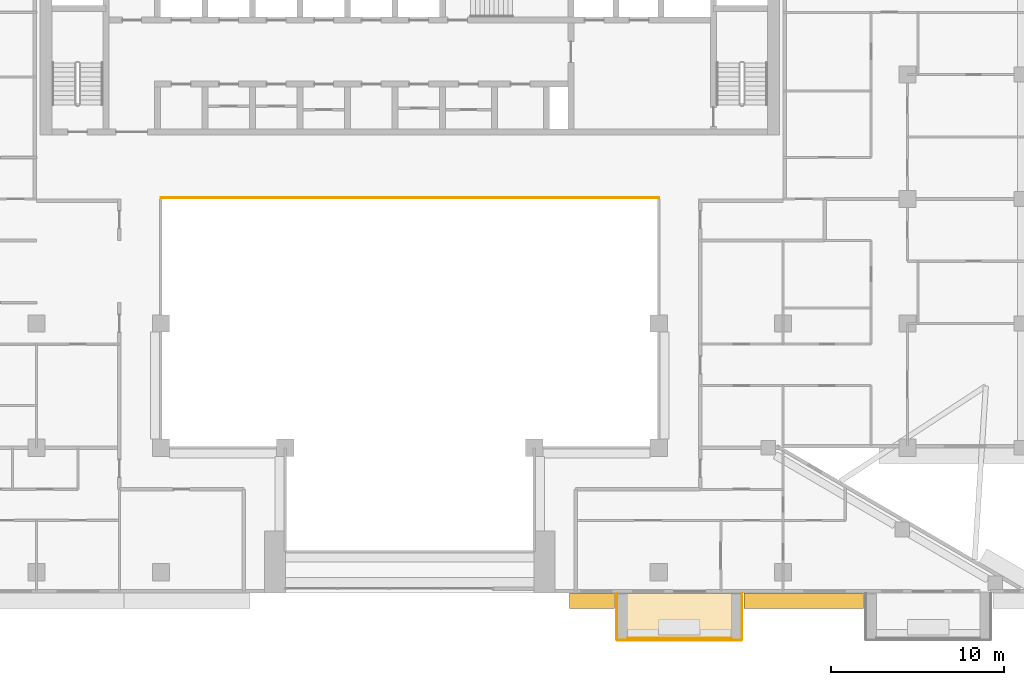
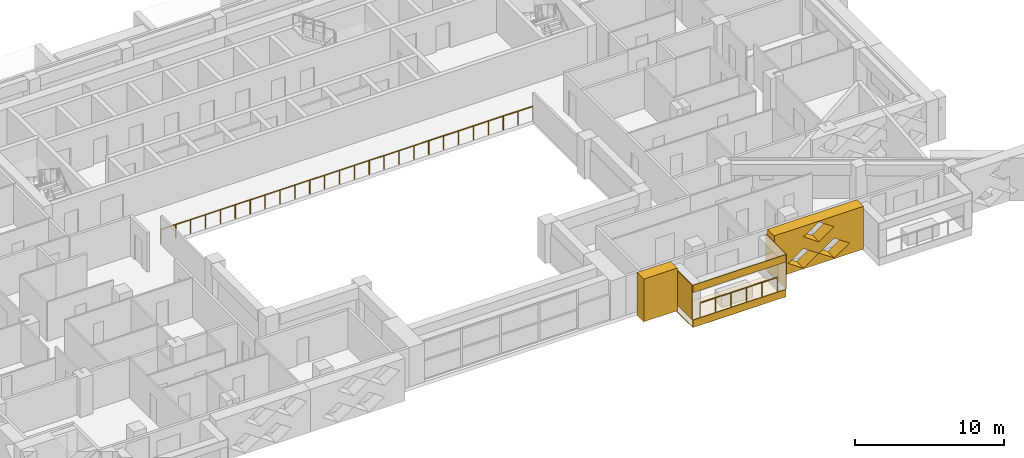
# One storey, part 16 of 20: 7 coverings, 2 railings.
"""IFC4 building model written with IfcOpenShell, lengths in metres."""

from ifc_helpers import new_model, si_unit, direction, frame, origin, origin_2d, place, context, subcontext, project, spatial, polyline, circle, outline, extrude, material, layer, layer_set, type_object, element, save


model = new_model("IFC4")

# Units and contexts
model_context = context("Model", 3, precision=1e-05, world=origin(), true_north=direction((0.0, 1.0)))
body_context = subcontext(model_context, "Body", "Model", "MODEL_VIEW")
ifc_project = project(units=[si_unit("LENGTHUNIT", "METRE"), si_unit("AREAUNIT", "SQUARE_METRE"), si_unit("VOLUMEUNIT", "CUBIC_METRE"), si_unit("PLANEANGLEUNIT", "RADIAN"), si_unit("MASSUNIT", "GRAM", prefix="KILO")], contexts=[model_context])

# Site, building, storey
site_placement = place(None, origin())
site = spatial("IfcSite", under=ifc_project, at=site_placement, CompositionType="ELEMENT")
building_placement = place(site_placement, origin())
building = spatial("IfcBuilding", under=site, at=building_placement, Name="Saffron Iwan Residences", CompositionType="ELEMENT")
storey_placement = place(building_placement, frame((0.0, 0.0, 171.0)))
storey = spatial("IfcBuildingStorey", under=building, at=storey_placement, Name="L45", CompositionType="ELEMENT", Elevation=171.0)

# Railings
ifc_material_1 = material(Name="Stainless steel 316", Category="steel")
railing_type_1 = type_object("IfcRailingType", Name="Atrium guard 1150", PredefinedType="GUARDRAIL", material=ifc_material_1)
railing_1_placement = place(storey_placement, frame((36.0, 62.47509765625, 0.0)))
element("IfcRailing", 1, at=railing_1_placement, inside=storey, type_object=railing_type_1, Name="Atrium guard L45", PredefinedType="GUARDRAIL", context=body_context, shape_type="SweptSolid", body=[
    extrude(circle(Radius=0.02392578125, at=origin_2d()), frame((0.0, 0.0, 1.1259765625), z_axis=(1.0, 0.0, 0.0), x_axis=(0.0, 1.0, 0.0)), (0.0, 0.0, 1.0), 28.800048828125),
    extrude(circle(Radius=0.02099609375, at=origin_2d()), origin(), (0.0, 0.0, 1.0), 1.101806640625),
    extrude(circle(Radius=0.02099609375, at=origin_2d()), frame((1.152099609375, 0.0, 0.0)), (0.0, 0.0, 1.0), 1.101806640625),
    extrude(circle(Radius=0.02099609375, at=origin_2d()), frame((2.303955078125, 0.0, 0.0)), (0.0, 0.0, 1.0), 1.101806640625),
    extrude(circle(Radius=0.02099609375, at=origin_2d()), frame((3.4560546875, 0.0, 0.0)), (0.0, 0.0, 1.0), 1.101806640625),
    extrude(circle(Radius=0.02099609375, at=origin_2d()), frame((4.60791015625, 0.0, 0.0)), (0.0, 0.0, 1.0), 1.101806640625),
    extrude(circle(Radius=0.02099609375, at=origin_2d()), frame((5.760009765625, 0.0, 0.0)), (0.0, 0.0, 1.0), 1.101806640625),
    extrude(circle(Radius=0.02099609375, at=origin_2d()), frame((6.912109375, 0.0, 0.0)), (0.0, 0.0, 1.0), 1.101806640625),
    extrude(circle(Radius=0.02099609375, at=origin_2d()), frame((8.06396484375, 0.0, 0.0)), (0.0, 0.0, 1.0), 1.101806640625),
    extrude(circle(Radius=0.02099609375, at=origin_2d()), frame((9.216064453125, 0.0, 0.0)), (0.0, 0.0, 1.0), 1.101806640625),
    extrude(circle(Radius=0.02099609375, at=origin_2d()), frame((10.367919921875, 0.0, 0.0)), (0.0, 0.0, 1.0), 1.101806640625),
    extrude(circle(Radius=0.02099609375, at=origin_2d()), frame((11.52001953125, 0.0, 0.0)), (0.0, 0.0, 1.0), 1.101806640625),
    extrude(circle(Radius=0.02099609375, at=origin_2d()), frame((12.672119140625, 0.0, 0.0)), (0.0, 0.0, 1.0), 1.101806640625),
    extrude(circle(Radius=0.02099609375, at=origin_2d()), frame((13.823974609375, 0.0, 0.0)), (0.0, 0.0, 1.0), 1.101806640625),
    extrude(circle(Radius=0.02099609375, at=origin_2d()), frame((14.97607421875, 0.0, 0.0)), (0.0, 0.0, 1.0), 1.101806640625),
    extrude(circle(Radius=0.02099609375, at=origin_2d()), frame((16.1279296875, 0.0, 0.0)), (0.0, 0.0, 1.0), 1.101806640625),
    extrude(circle(Radius=0.02099609375, at=origin_2d()), frame((17.280029296875, 0.0, 0.0)), (0.0, 0.0, 1.0), 1.101806640625),
    extrude(circle(Radius=0.02099609375, at=origin_2d()), frame((18.43212890625, 0.0, 0.0)), (0.0, 0.0, 1.0), 1.101806640625),
    extrude(circle(Radius=0.02099609375, at=origin_2d()), frame((19.583984375, 0.0, 0.0)), (0.0, 0.0, 1.0), 1.101806640625),
    extrude(circle(Radius=0.02099609375, at=origin_2d()), frame((20.736083984375, 0.0, 0.0)), (0.0, 0.0, 1.0), 1.101806640625),
    extrude(circle(Radius=0.02099609375, at=origin_2d()), frame((21.887939453125, 0.0, 0.0)), (0.0, 0.0, 1.0), 1.101806640625),
    extrude(circle(Radius=0.02099609375, at=origin_2d()), frame((23.0400390625, 0.0, 0.0)), (0.0, 0.0, 1.0), 1.101806640625),
    extrude(circle(Radius=0.02099609375, at=origin_2d()), frame((24.192138671875, 0.0, 0.0)), (0.0, 0.0, 1.0), 1.101806640625),
    extrude(circle(Radius=0.02099609375, at=origin_2d()), frame((25.343994140625, 0.0, 0.0)), (0.0, 0.0, 1.0), 1.101806640625),
    extrude(circle(Radius=0.02099609375, at=origin_2d()), frame((26.49609375, 0.0, 0.0)), (0.0, 0.0, 1.0), 1.101806640625),
    extrude(circle(Radius=0.02099609375, at=origin_2d()), frame((27.64794921875, 0.0, 0.0)), (0.0, 0.0, 1.0), 1.101806640625),
    extrude(circle(Radius=0.02099609375, at=origin_2d()), frame((28.800048828125, 0.0, 0.0)), (0.0, 0.0, 1.0), 1.101806640625),
])
railing_type_2 = type_object("IfcRailingType", Name="BALCONY GUARD 1150", PredefinedType="GUARDRAIL", material=ifc_material_1)
railing_2_placement = place(storey_placement, frame((63.0, 36.97509765625, 0.0)))
element("IfcRailing", 2, at=railing_2_placement, inside=storey, type_object=railing_type_2, Name="Balcony guard L45 11-2", PredefinedType="GUARDRAIL", context=body_context, shape_type="SweptSolid", body=[
    extrude(circle(Radius=0.02392578125, at=origin_2d()), frame((0.0, 0.0, 1.1259765625), z_axis=(1.0, 0.0, 0.0), x_axis=(0.0, 1.0, 0.0)), (0.0, 0.0, 1.0), 6.0),
    extrude(circle(Radius=0.02099609375, at=origin_2d()), origin(), (0.0, 0.0, 1.0), 1.101806640625),
    extrude(circle(Radius=0.02099609375, at=origin_2d()), frame((1.199951171875, 0.0, 0.0)), (0.0, 0.0, 1.0), 1.101806640625),
    extrude(circle(Radius=0.02099609375, at=origin_2d()), frame((2.39990234375, 0.0, 0.0)), (0.0, 0.0, 1.0), 1.101806640625),
    extrude(circle(Radius=0.02099609375, at=origin_2d()), frame((3.60009765625, 0.0, 0.0)), (0.0, 0.0, 1.0), 1.101806640625),
    extrude(circle(Radius=0.02099609375, at=origin_2d()), frame((4.800048828125, 0.0, 0.0)), (0.0, 0.0, 1.0), 1.101806640625),
    extrude(circle(Radius=0.02099609375, at=origin_2d()), frame((6.0, 0.0, 0.0)), (0.0, 0.0, 1.0), 1.101806640625),
])

# Coverings
ifc_material_2 = material(Name="Precast concrete C40/50 white painted", Category="concrete")
ifc_layer = layer(ifc_material_2, 0.050048828125)
ifc_layer_set = layer_set([ifc_layer], Name="Precast concrete C40/50 white painted")
covering_type_1 = type_object("IfcCoveringType", Name="FRAME SKIN PRECAST WHITE 50", PredefinedType="CLADDING", material=ifc_layer_set)
for number, where, name in (
    (3, (0.0, 0.0, -0.60009765625), "Frame skin slab edge L45 11-2"),
    (4, (0.0, 0.0, 2.25), "Frame skin fascia L45 11-2"),
):
    element("IfcCovering", number, at=place(storey_placement, frame(where)), inside=storey, type_object=covering_type_1, Name=name, PredefinedType="CLADDING", context=body_context, shape_type="SweptSolid", body=[
        extrude(outline(polyline([(62.39990234375, 36.85009765625), (69.60009765625, 36.85009765625), (69.60009765625, 36.89990234375), (62.39990234375, 36.89990234375), (62.39990234375, 36.85009765625)])), origin(), (0.0, 0.0, 1.0), 0.60009765625),
    ])
covering_1_placement = place(storey_placement, frame((0.0, 0.0, -0.64990234375)))
element("IfcCovering", 5, at=covering_1_placement, inside=storey, type_object=covering_type_1, Name="Frame skin soffit L45 11-2", PredefinedType="CLADDING", context=body_context, shape_type="SweptSolid", body=[
    extrude(outline(polyline([(62.39990234375, 36.89990234375), (69.60009765625, 36.89990234375), (69.60009765625, 39.60009765625), (62.39990234375, 39.60009765625), (62.39990234375, 36.89990234375)])), origin(), (0.0, 0.0, 1.0), 0.0498046875),
])
covering_2_placement = place(storey_placement, origin())
element("IfcCovering", 6, at=covering_2_placement, inside=storey, type_object=covering_type_1, Name="Frame skin fin L45 11-2a", PredefinedType="CLADDING", context=body_context, shape_type="SweptSolid", body=[
    extrude(outline(polyline([(62.35009765625, 36.89990234375), (62.39990234375, 36.89990234375), (62.39990234375, 39.60009765625), (62.35009765625, 39.60009765625), (62.35009765625, 36.89990234375)])), origin(), (0.0, 0.0, 1.0), 2.85009765625),
])
covering_3_placement = place(storey_placement, origin())
element("IfcCovering", 7, at=covering_3_placement, inside=storey, type_object=covering_type_1, Name="Frame skin fin L45 11-2b", PredefinedType="CLADDING", context=body_context, shape_type="SweptSolid", body=[
    extrude(outline(polyline([(69.60009765625, 36.89990234375), (69.64990234375, 36.89990234375), (69.64990234375, 39.60009765625), (69.60009765625, 39.60009765625), (69.60009765625, 36.89990234375)])), origin(), (0.0, 0.0, 1.0), 2.85009765625),
])
ifc_material_3 = material(Name="Precast concrete C40/50", Category="concrete")
covering_type_2 = type_object("IfcCoveringType", Name="OUTER SKIN LATTICE SCREEN", PredefinedType="CLADDING", material=ifc_material_3)
covering_4_placement = place(storey_placement, frame((59.64990234375, 39.60009765625, -0.300048828125), z_axis=(0.0, -1.0, 0.0), x_axis=(1.0, 0.0, 0.0)))
element("IfcCovering", 8, at=covering_4_placement, inside=storey, type_object=covering_type_2, Name="OUTER SKIN lattice screen L45 F11.3", PredefinedType="CLADDING", context=body_context, shape_type="SweptSolid", body=[
    extrude(outline(polyline([(0.0, 0.0), (2.60009765625, 0.0), (2.60009765625, 3.5), (0.0, 3.5), (0.0, 0.0)])), origin(), (0.0, 0.0, 1.0), 0.900146484375),
])
covering_5_placement = place(storey_placement, frame((69.75, 39.60009765625, -0.300048828125), z_axis=(0.0, -1.0, 0.0), x_axis=(1.0, 0.0, 0.0)))
element("IfcCovering", 9, at=covering_5_placement, inside=storey, type_object=covering_type_2, Name="OUTER SKIN lattice screen L45 F11.4", PredefinedType="CLADDING", context=body_context, shape_type="SweptSolid", body=[
    extrude(outline(polyline([(0.0, 0.0), (6.89990234375, 0.0), (6.89990234375, 3.5), (0.0, 3.5), (0.0, 0.0)]), holes=[polyline([(1.070068359375, 0.875), (2.25, 0.06005859375), (3.429931640625, 0.875), (2.25, 1.68994140625), (1.070068359375, 0.875)]), polyline([(3.469970703125, 0.875), (4.64990234375, 0.06005859375), (5.830078125, 0.875), (4.64990234375, 1.68994140625), (3.469970703125, 0.875)]), polyline([(2.27001953125, 2.625), (3.449951171875, 1.81005859375), (4.6298828125, 2.625), (3.449951171875, 3.43994140625), (2.27001953125, 2.625)])]), origin(), (0.0, 0.0, 1.0), 0.900146484375),
])

save(model, "model.ifc")
